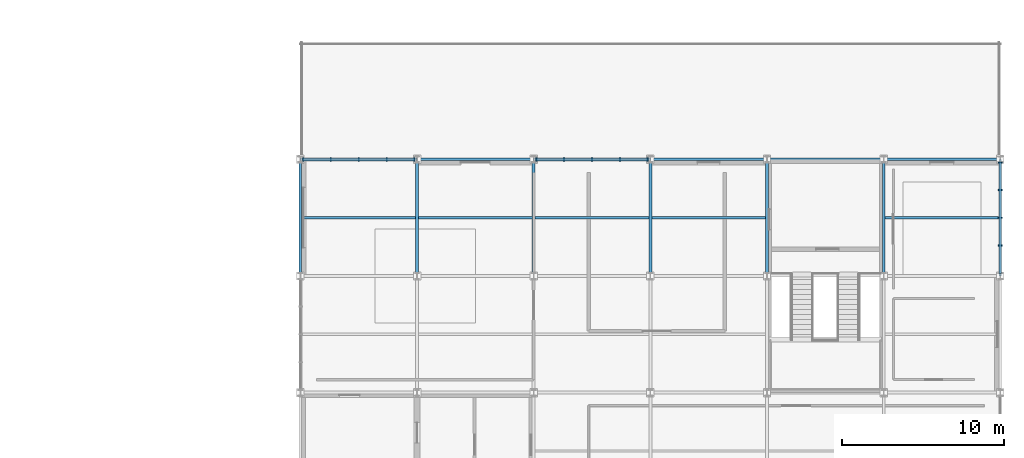
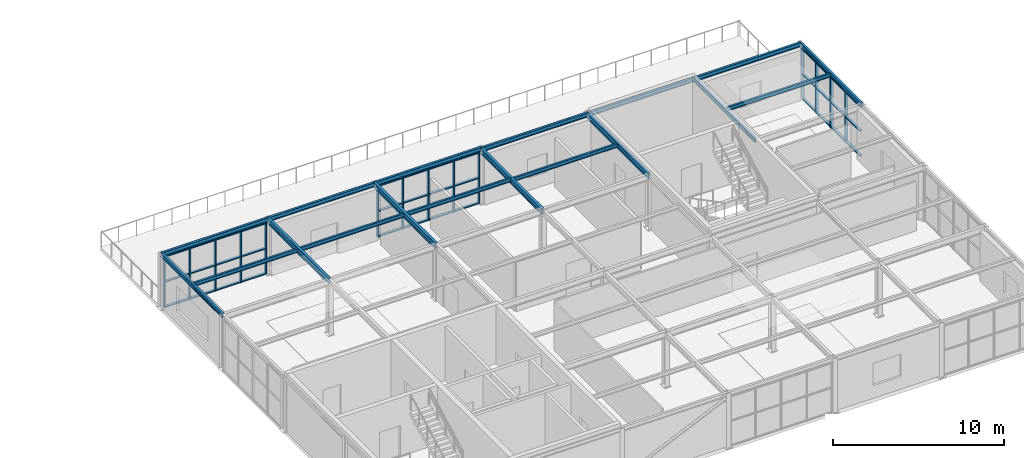
# One storey, part 13 of 30: 23 members, 18 beams, 3 elements without a shape of their own.
"""IFC4 building model written with IfcOpenShell, lengths in metres."""

import ifcopenshell
import ifcopenshell.guid

model = None  # the IFC model being written
_history = None  # IfcOwnerHistory: only IFC2X3 demands one
_inside = {}  # id of a spatial element -> (the spatial element, [elements in it])
_under = {}  # id of a project, library or spatial element -> (it, [spatial elements below it])
_declared = {}  # id of a project -> (the project, [libraries it declares])
_typed = {}  # id of a type object -> (the type object, [elements of that type])
_made_of = {}  # id of a material, layer set ... -> (it, [elements and type objects made of it])


def new_model(schema):
    """Start an empty IFC model of exactly this schema.

    Asked for "IFC4X3", IfcOpenShell would pick the latest addendum, in which some entities
    have other attributes; the version numbers below select the first issue.
    IFC2X3 requires an IfcOwnerHistory on every rooted entity: one is made here for all.
    """
    global model, _history
    if schema == "IFC4X3":
        model = ifcopenshell.file(schema_version=(4, 3, 0, 0))
    else:
        model = ifcopenshell.file(schema=schema)
    _inside.clear()
    _under.clear()
    _declared.clear()
    _typed.clear()
    _made_of.clear()
    _history = None
    if model.schema == "IFC2X3":
        org = make("IfcOrganization", Name="unknown")
        user = make(
            "IfcPersonAndOrganization",
            ThePerson=make("IfcPerson", FamilyName="unknown"),
            TheOrganization=org,
        )
        app = make(
            "IfcApplication",
            ApplicationDeveloper=org,
            Version="unknown",
            ApplicationFullName="unknown",
            ApplicationIdentifier="unknown",
        )
        _history = make(
            "IfcOwnerHistory",
            OwningUser=user,
            OwningApplication=app,
            ChangeAction="ADDED",
            CreationDate=0,
        )
    return model


def make(cls, **values):
    """One entity of the class cls with the attributes given. An attribute that is None is left unset."""
    return model.create_entity(
        cls, **{name: value for name, value in values.items() if value is not None}
    )


def rooted(cls, **values):
    """An entity with a GlobalId (a new one), such as an element, a storey or a relation."""
    return make(cls, GlobalId=ifcopenshell.guid.new(), OwnerHistory=_history, **values)


def si_unit(unit_type, name, prefix=None):
    """IfcSIUnit, for example si_unit("LENGTHUNIT", "METRE", prefix="MILLI")."""
    return make("IfcSIUnit", UnitType=unit_type, Prefix=prefix, Name=name)


def assignment(units):
    """IfcUnitAssignment: the units of a project."""
    return None if units is None else make("IfcUnitAssignment", Units=units)


def point(xyz):
    """IfcCartesianPoint."""
    return None if xyz is None else make("IfcCartesianPoint", Coordinates=xyz)


def direction(xyz):
    """IfcDirection."""
    return None if xyz is None else make("IfcDirection", DirectionRatios=xyz)


def frame(location, z_axis=None, x_axis=None):
    """IfcAxis2Placement3D, a coordinate frame: its origin and axes. An axis left out is left unset."""
    return make(
        "IfcAxis2Placement3D",
        Location=point(location),
        Axis=direction(z_axis),
        RefDirection=direction(x_axis),
    )


def frame_2d(location, x_axis=None):
    """IfcAxis2Placement2D, a coordinate frame in the plane: its origin and x axis."""
    return make(
        "IfcAxis2Placement2D", Location=point(location), RefDirection=direction(x_axis)
    )


def origin():
    """The frame at (0, 0, 0) with its axes left unset."""
    return frame((0.0, 0.0, 0.0))


def origin_2d():
    """The frame at (0, 0) in the plane with its x axis left unset."""
    return frame_2d((0.0, 0.0))


def place(relative_to, where):
    """IfcLocalPlacement: puts the frame where relative to a parent placement (None: the world)."""
    return make(
        "IfcLocalPlacement", PlacementRelTo=relative_to, RelativePlacement=where
    )


def context(
    kind, dimensions, precision=None, world=None, true_north=None, identifier=None
):
    """IfcGeometricRepresentationContext, for example the 3D "Model" context."""
    return make(
        "IfcGeometricRepresentationContext",
        ContextIdentifier=identifier,
        ContextType=kind,
        CoordinateSpaceDimension=dimensions,
        Precision=precision,
        WorldCoordinateSystem=world,
        TrueNorth=true_north,
    )


def subcontext(parent, identifier, kind, view, scale=None):
    """IfcGeometricRepresentationSubContext, for example "Body" below "Model"."""
    return make(
        "IfcGeometricRepresentationSubContext",
        ContextIdentifier=identifier,
        ContextType=kind,
        ParentContext=parent,
        TargetScale=scale,
        TargetView=view,
    )


def project(units=None, contexts=None):
    """IfcProject with its units and contexts."""
    return rooted(
        "IfcProject",
        Name="project",
        RepresentationContexts=contexts,
        UnitsInContext=assignment(units),
    )


def spatial(cls, under=None, at=None, **own):
    """A site, building, storey or space (cls), placed at a placement, below another one or the project."""
    s = rooted(cls, ObjectPlacement=at, **own)
    if under is not None:
        _under.setdefault(under.id(), (under, []))[1].append(s)
    return s


def profile(cls, at=None, kind="AREA", **sizes):
    """A parametric profile (cls). Its sizes go by their IFC names, for example OverallWidth=200.0."""
    return make(cls, ProfileType=kind, Position=at, **sizes)


def rectangle(**sizes):
    """IfcRectangleProfileDef."""
    return profile("IfcRectangleProfileDef", **sizes)


def i_section(**sizes):
    """IfcIShapeProfileDef."""
    return profile("IfcIShapeProfileDef", **sizes)


def extrude(swept, where, along, depth):
    """IfcExtrudedAreaSolid: the profile swept, set in the frame where, extruded along a direction by depth."""
    return make(
        "IfcExtrudedAreaSolid",
        SweptArea=swept,
        Position=where,
        ExtrudedDirection=direction(along),
        Depth=depth,
    )


def shape(context_of_items, identifier, shape_type, items):
    """IfcShapeRepresentation: the items that make up one representation, for example the "Body"."""
    return make(
        "IfcShapeRepresentation",
        ContextOfItems=context_of_items,
        RepresentationIdentifier=identifier,
        RepresentationType=shape_type,
        Items=items,
    )


def material(Name=None, Category=None):
    """IfcMaterial."""
    return make("IfcMaterial", Name=Name, Category=Category)


def material_profile(
    of_material, cross_section, Name=None, Category=None, Priority=None
):
    """IfcMaterialProfile: a cross section and its material."""
    return make(
        "IfcMaterialProfile",
        Name=Name,
        Material=of_material,
        Profile=cross_section,
        Priority=Priority,
        Category=Category,
    )


def profile_set(profiles, Name=None, composite=None):
    """IfcMaterialProfileSet."""
    return make(
        "IfcMaterialProfileSet",
        Name=Name,
        MaterialProfiles=profiles,
        CompositeProfile=composite,
    )


def made_of(thing, what):
    """Note that an element or type object is made of a material, layer set ...; save() writes the relation."""
    if what is not None:
        _made_of.setdefault(what.id(), (what, []))[1].append(thing)
    return thing


def type_object(cls, material=None, **own):
    """A type object (cls), such as IfcWallType, which elements share."""
    return made_of(rooted(cls, **own), material)


def element(
    cls,
    number,
    at=None,
    inside=None,
    cuts=None,
    type_object=None,
    material=None,
    context=None,
    identifier="Body",
    shape_type=None,
    held_by="IfcProductDefinitionShape",
    body=None,
    shapes=None,
    **own,
):
    """One element of the class cls, such as IfcWall. Its Tag is "e" and its number.

    at: its placement. inside: the storey or other place that contains it. cuts: it is an
    opening in that element (IfcRelVoidsElement). A single representation is given by context,
    identifier, shape_type and body (its items); several are given by shapes. held_by: the class
    of the entity that holds the representations. save() writes the other relations.
    """
    e = rooted(cls, Tag="e%d" % number, ObjectPlacement=at, **own)
    if body is not None:
        shapes = [shape(context, identifier, shape_type, body)]
    if shapes is not None:
        e.Representation = make(held_by, Representations=shapes)
    if inside is not None:
        _inside.setdefault(inside.id(), (inside, []))[1].append(e)
    if cuts is not None:
        rooted(
            "IfcRelVoidsElement", RelatingBuildingElement=cuts, RelatedOpeningElement=e
        )
    if type_object is not None:
        _typed.setdefault(type_object.id(), (type_object, []))[1].append(e)
    return made_of(e, material)


def aggregate(whole, parts):
    """IfcRelAggregates: a whole, such as a stair, and the parts it consists of."""
    return rooted("IfcRelAggregates", RelatingObject=whole, RelatedObjects=parts)


def save(model, path):
    """Write the relations noted so far, then the file.

    IfcRelAggregates (storeys below a building ...), IfcRelContainedInSpatialStructure (elements
    in a storey), IfcRelDefinesByType, IfcRelAssociatesMaterial and IfcRelDeclares: one each for
    every whole, place, type object, material and project.
    """
    for whole, parts in _under.values():
        aggregate(whole, parts)
    for where, things in _inside.values():
        rooted(
            "IfcRelContainedInSpatialStructure",
            RelatedElements=things,
            RelatingStructure=where,
        )
    for kind, things in _typed.values():
        rooted("IfcRelDefinesByType", RelatedObjects=things, RelatingType=kind)
    for what, things in _made_of.values():
        rooted("IfcRelAssociatesMaterial", RelatedObjects=things, RelatingMaterial=what)
    for by, libraries in _declared.values():
        rooted("IfcRelDeclares", RelatingContext=by, RelatedDefinitions=libraries)
    model.write(path)


model = new_model("IFC4")

# Units and contexts
model_context = context("Model", 3, precision=1e-05, world=origin(), true_north=direction((0.0, 1.0)))
body_context = subcontext(model_context, "Body", "Model", "MODEL_VIEW")
ifc_project = project(units=[si_unit("LENGTHUNIT", "METRE"), si_unit("AREAUNIT", "SQUARE_METRE"), si_unit("VOLUMEUNIT", "CUBIC_METRE"), si_unit("PLANEANGLEUNIT", "RADIAN"), si_unit("MASSUNIT", "GRAM", prefix="KILO")], contexts=[model_context])

# Site, building, storey
site_placement = place(None, origin())
site = spatial("IfcSite", under=ifc_project, at=site_placement, CompositionType="ELEMENT")
building_placement = place(site_placement, origin())
building = spatial("IfcBuilding", under=site, at=building_placement, Name="Leyfeld Transit Interchange", CompositionType="ELEMENT")
storey_placement = place(building_placement, frame((0.0, 0.0, 13.800048828125)))
storey = spatial("IfcBuildingStorey", under=building, at=storey_placement, Name="L03", CompositionType="ELEMENT", Elevation=13.800048828125)

# Beams
ifc_material_1 = material(Name="Steel S355J2", Category="steel")
ifc_material_profile_1 = material_profile(ifc_material_1, i_section(OverallWidth=0.135009765625, OverallDepth=0.27001953125, WebThickness=0.006591796875, FlangeThickness=0.01025390625, FilletRadius=0.014892578125, at=origin_2d()), Name="IPE 270")
ifc_profile_set_1 = profile_set([ifc_material_profile_1], Name="Steel S355J2")
beam_type_1 = type_object("IfcBeamType", Name="BM-STL-IPE270", PredefinedType="BEAM", material=ifc_profile_set_1)
beam_1_placement = place(storey_placement, frame((158.487060546875, 82.800048828125, 3.784912109375), z_axis=(1.0, 0.0, 0.0), x_axis=(0.0, 1.0, 0.0)))
element("IfcBeam", 1, at=beam_1_placement, inside=storey, type_object=beam_type_1, Name="Beam BM-L03-1585_0828-1655_0828", PredefinedType="BEAM", context=body_context, shape_type="SweptSolid", body=[
    extrude(i_section(OverallWidth=0.135009765625, OverallDepth=0.27001953125, WebThickness=0.006591796875, FlangeThickness=0.01025390625, FilletRadius=0.014892578125, at=origin_2d()), origin(), (0.0, 0.0, 1.0), 7.02587890625),
])
beam_2_placement = place(storey_placement, frame((136.8720703125, 82.800048828125, 3.844970703125), z_axis=(1.0, 0.0, 0.0), x_axis=(0.0, 1.0, 0.0)))
element("IfcBeam", 2, at=beam_2_placement, inside=storey, type_object=beam_type_1, Name="Beam BM-L03-1369_0828-1439_0828", PredefinedType="BEAM", context=body_context, shape_type="SweptSolid", body=[
    extrude(i_section(OverallWidth=0.135009765625, OverallDepth=0.27001953125, WebThickness=0.006591796875, FlangeThickness=0.01025390625, FilletRadius=0.014892578125, at=origin_2d()), origin(), (0.0, 0.0, 1.0), 7.041015625),
])
beam_3_placement = place(storey_placement, frame((144.0869140625, 82.800048828125, 3.844970703125), z_axis=(1.0, 0.0, 0.0), x_axis=(0.0, 1.0, 0.0)))
element("IfcBeam", 3, at=beam_3_placement, inside=storey, type_object=beam_type_1, Name="Beam BM-L03-1441_0828-1511_0828", PredefinedType="BEAM", context=body_context, shape_type="SweptSolid", body=[
    extrude(i_section(OverallWidth=0.135009765625, OverallDepth=0.27001953125, WebThickness=0.006591796875, FlangeThickness=0.01025390625, FilletRadius=0.014892578125, at=origin_2d()), origin(), (0.0, 0.0, 1.0), 7.026123046875),
])
beam_4_placement = place(storey_placement, frame((151.287109375, 82.800048828125, 3.844970703125), z_axis=(1.0, 0.0, 0.0), x_axis=(0.0, 1.0, 0.0)))
element("IfcBeam", 4, at=beam_4_placement, inside=storey, type_object=beam_type_1, Name="Beam BM-L03-1513_0828-1583_0828", PredefinedType="BEAM", context=body_context, shape_type="SweptSolid", body=[
    extrude(i_section(OverallWidth=0.135009765625, OverallDepth=0.27001953125, WebThickness=0.006591796875, FlangeThickness=0.01025390625, FilletRadius=0.014892578125, at=origin_2d()), origin(), (0.0, 0.0, 1.0), 7.02587890625),
])
beam_5_placement = place(storey_placement, frame((172.8720703125, 82.800048828125, 3.764892578125), z_axis=(1.0, 0.0, 0.0), x_axis=(0.0, 1.0, 0.0)))
element("IfcBeam", 5, at=beam_5_placement, inside=storey, type_object=beam_type_1, Name="Beam BM-L03-1729_0828-1799_0828", PredefinedType="BEAM", context=body_context, shape_type="SweptSolid", body=[
    extrude(i_section(OverallWidth=0.135009765625, OverallDepth=0.27001953125, WebThickness=0.006591796875, FlangeThickness=0.01025390625, FilletRadius=0.014892578125, at=origin_2d()), origin(), (0.0, 0.0, 1.0), 7.055908203125),
])
ifc_material_profile_2 = material_profile(ifc_material_1, i_section(OverallWidth=0.14990234375, OverallDepth=0.300048828125, WebThickness=0.007080078125, FlangeThickness=0.0107421875, FilletRadius=0.014892578125, at=origin_2d()), Name="IPE 300")
ifc_profile_set_2 = profile_set([ifc_material_profile_2], Name="Steel S355J2")
beam_type_2 = type_object("IfcBeamType", Name="BM-STL-IPE300", PredefinedType="SPANDREL", material=ifc_profile_set_2)
beam_6_placement = place(storey_placement, frame((172.800048828125, 79.199951171875, 3.75), z_axis=(0.0, 1.0, 0.0), x_axis=(-1.0, 0.0, 0.0)))
element("IfcBeam", 6, at=beam_6_placement, inside=storey, type_object=beam_type_2, Name="Beam BM-L03-1728_0792-1728_0864", PredefinedType="SPANDREL", context=body_context, shape_type="SweptSolid", body=[
    extrude(i_section(OverallWidth=0.14990234375, OverallDepth=0.300048828125, WebThickness=0.007080078125, FlangeThickness=0.0107421875, FilletRadius=0.014892578125, at=origin_2d()), origin(), (0.0, 0.0, 1.0), 7.199951171875),
])
beam_7_placement = place(storey_placement, frame((158.39990234375, 86.39990234375, 3.77001953125), z_axis=(1.0, 0.0, 0.0), x_axis=(0.0, 1.0, 0.0)))
element("IfcBeam", 7, at=beam_7_placement, inside=storey, type_object=beam_type_2, Name="Beam BM-L03-1584_0864-1656_0864", PredefinedType="SPANDREL", context=body_context, shape_type="SweptSolid", body=[
    extrude(i_section(OverallWidth=0.14990234375, OverallDepth=0.300048828125, WebThickness=0.007080078125, FlangeThickness=0.0107421875, FilletRadius=0.014892578125, at=origin_2d()), origin(), (0.0, 0.0, 1.0), 7.2001953125),
])
for number, where, z_axis, x_axis, name in (
    (8, (165.60009765625, 86.39990234375, 3.77001953125), (1.0, 0.0, 0.0), (0.0, 1.0, 0.0), "Beam BM-L03-1656_0864-1728_0864"),
    (9, (136.800048828125, 79.199951171875, 3.829833984375), (0.0, 1.0, 0.0), (-1.0, 0.0, 0.0), "Beam BM-L03-1368_0792-1368_0864"),
    (10, (136.800048828125, 86.39990234375, 3.829833984375), (1.0, 0.0, 0.0), (0.0, 1.0, 0.0), "Beam BM-L03-1368_0864-1440_0864"),
    (11, (144.0, 86.39990234375, 3.829833984375), (1.0, 0.0, 0.0), (0.0, 1.0, 0.0), "Beam BM-L03-1440_0864-1512_0864"),
    (12, (151.199951171875, 86.39990234375, 3.829833984375), (1.0, 0.0, 0.0), (0.0, 1.0, 0.0), "Beam BM-L03-1512_0864-1584_0864"),
    (13, (180.0, 79.199951171875, 3.75), (0.0, 1.0, 0.0), (-1.0, 0.0, 0.0), "Beam BM-L03-1800_0792-1800_0864"),
    (14, (172.800048828125, 86.39990234375, 3.75), (1.0, 0.0, 0.0), (0.0, 1.0, 0.0), "Beam BM-L03-1728_0864-1800_0864"),
):
    element("IfcBeam", number, at=place(storey_placement, frame(where, z_axis=z_axis, x_axis=x_axis)), inside=storey, type_object=beam_type_2, Name=name, PredefinedType="SPANDREL", context=body_context, shape_type="SweptSolid", body=[
        extrude(i_section(OverallWidth=0.14990234375, OverallDepth=0.300048828125, WebThickness=0.007080078125, FlangeThickness=0.0107421875, FilletRadius=0.014892578125, at=origin_2d()), origin(), (0.0, 0.0, 1.0), 7.199951171875),
    ])
ifc_material_profile_3 = material_profile(ifc_material_1, i_section(OverallWidth=0.179931640625, OverallDepth=0.39990234375, WebThickness=0.008544921875, FlangeThickness=0.013427734375, FilletRadius=0.02099609375, at=origin_2d()), Name="IPE 400")
ifc_profile_set_3 = profile_set([ifc_material_profile_3], Name="Steel S355J2")
beam_type_3 = type_object("IfcBeamType", Name="BM-STL-IPE400", PredefinedType="BEAM", material=ifc_profile_set_3)
for number, where, z_axis, x_axis, name in (
    (15, (158.39990234375, 79.199951171875, 3.719970703125), (0.0, 1.0, 0.0), (-1.0, 0.0, 0.0), "Beam BM-L03-1584_0792-1584_0864"),
    (16, (165.60009765625, 79.199951171875, 3.719970703125), (0.0, 1.0, 0.0), (-1.0, 0.0, 0.0), "Beam BM-L03-1656_0792-1656_0864"),
    (17, (144.0, 79.199951171875, 3.780029296875), (0.0, 1.0, 0.0), (-1.0, 0.0, 0.0), "Beam BM-L03-1440_0792-1440_0864"),
    (18, (151.199951171875, 79.199951171875, 3.780029296875), (0.0, 1.0, 0.0), (-1.0, 0.0, 0.0), "Beam BM-L03-1512_0792-1512_0864"),
):
    element("IfcBeam", number, at=place(storey_placement, frame(where, z_axis=z_axis, x_axis=x_axis)), inside=storey, type_object=beam_type_3, Name=name, PredefinedType="BEAM", context=body_context, shape_type="SweptSolid", body=[
        extrude(i_section(OverallWidth=0.179931640625, OverallDepth=0.39990234375, WebThickness=0.008544921875, FlangeThickness=0.013427734375, FilletRadius=0.02099609375, at=origin_2d()), origin(), (0.0, 0.0, 1.0), 7.199951171875),
    ])

# Curtain wall, members
ifc_material_2 = material(Name="Anodised aluminium EN AW-6060 T66", Category="aluminium")
curtain_wall_type = type_object("IfcCurtainWallType", Name="CW-SYS-BUS-7200", PredefinedType="NOTDEFINED", material=ifc_material_2)
curtain_wall_1_placement = place(storey_placement, origin())
curtain_wall_1 = element("IfcCurtainWall", 19, at=curtain_wall_1_placement, inside=storey, type_object=curtain_wall_type, Name="Curtain Wall CW-L03-129", PredefinedType="NOTDEFINED")
ifc_material_profile_4 = material_profile(ifc_material_2, rectangle(XDim=0.074951171875, YDim=0.219970703125, at=origin_2d()), Name="CW-M 75x220")
ifc_profile_set_4 = profile_set([ifc_material_profile_4], Name="Anodised aluminium EN AW-6060 T66")
member_type_1 = type_object("IfcMemberType", Name="CW-MUL-180x70", PredefinedType="MULLION", material=ifc_profile_set_4)
member_1_placement = place(storey_placement, frame((136.9775390625, 86.39990234375, 0.0), z_axis=(0.0, 0.0, 1.0), x_axis=(1.0, 0.0, 0.0)))
member_1 = element("IfcMember", 20, at=member_1_placement, type_object=member_type_1, Name="Curtain Mullion CW-L03-129-M01", PredefinedType="MULLION", context=body_context, shape_type="SweptSolid", body=[
    extrude(rectangle(XDim=0.074951171875, YDim=0.219970703125, at=origin_2d()), origin(), (0.0, 0.0, 1.0), 3.679931640625),
])
member_2_placement = place(storey_placement, frame((138.669921875, 86.39990234375, 0.0), z_axis=(0.0, 0.0, 1.0), x_axis=(1.0, 0.0, 0.0)))
member_2 = element("IfcMember", 21, at=member_2_placement, type_object=member_type_1, Name="Curtain Mullion CW-L03-129-M02", PredefinedType="MULLION", context=body_context, shape_type="SweptSolid", body=[
    extrude(rectangle(XDim=0.074951171875, YDim=0.219970703125, at=origin_2d()), origin(), (0.0, 0.0, 1.0), 3.679931640625),
])
member_3_placement = place(storey_placement, frame((140.39990234375, 86.39990234375, 0.0), z_axis=(0.0, 0.0, 1.0), x_axis=(1.0, 0.0, 0.0)))
member_3 = element("IfcMember", 22, at=member_3_placement, type_object=member_type_1, Name="Curtain Mullion CW-L03-129-M03", PredefinedType="MULLION", context=body_context, shape_type="SweptSolid", body=[
    extrude(rectangle(XDim=0.074951171875, YDim=0.219970703125, at=origin_2d()), origin(), (0.0, 0.0, 1.0), 3.679931640625),
])
member_4_placement = place(storey_placement, frame((142.1298828125, 86.39990234375, 0.0), z_axis=(0.0, 0.0, 1.0), x_axis=(1.0, 0.0, 0.0)))
member_4 = element("IfcMember", 23, at=member_4_placement, type_object=member_type_1, Name="Curtain Mullion CW-L03-129-M04", PredefinedType="MULLION", context=body_context, shape_type="SweptSolid", body=[
    extrude(rectangle(XDim=0.074951171875, YDim=0.219970703125, at=origin_2d()), origin(), (0.0, 0.0, 1.0), 3.679931640625),
])
member_5_placement = place(storey_placement, frame((143.822509765625, 86.39990234375, 0.0), z_axis=(0.0, 0.0, 1.0), x_axis=(1.0, 0.0, 0.0)))
member_5 = element("IfcMember", 24, at=member_5_placement, type_object=member_type_1, Name="Curtain Mullion CW-L03-129-M05", PredefinedType="MULLION", context=body_context, shape_type="SweptSolid", body=[
    extrude(rectangle(XDim=0.074951171875, YDim=0.219970703125, at=origin_2d()), origin(), (0.0, 0.0, 1.0), 3.679931640625),
])

curtain_wall_2_placement = place(storey_placement, origin())
curtain_wall_2 = element("IfcCurtainWall", 25, at=curtain_wall_2_placement, inside=storey, type_object=curtain_wall_type, Name="Curtain Wall CW-L03-130", PredefinedType="NOTDEFINED")
member_6_placement = place(storey_placement, frame((151.37744140625, 86.39990234375, 0.0), z_axis=(0.0, 0.0, 1.0), x_axis=(1.0, 0.0, 0.0)))
member_6 = element("IfcMember", 26, at=member_6_placement, type_object=member_type_1, Name="Curtain Mullion CW-L03-130-M01", PredefinedType="MULLION", context=body_context, shape_type="SweptSolid", body=[
    extrude(rectangle(XDim=0.074951171875, YDim=0.219970703125, at=origin_2d()), origin(), (0.0, 0.0, 1.0), 3.679931640625),
])
member_7_placement = place(storey_placement, frame((153.070068359375, 86.39990234375, 0.0), z_axis=(0.0, 0.0, 1.0), x_axis=(1.0, 0.0, 0.0)))
member_7 = element("IfcMember", 27, at=member_7_placement, type_object=member_type_1, Name="Curtain Mullion CW-L03-130-M02", PredefinedType="MULLION", context=body_context, shape_type="SweptSolid", body=[
    extrude(rectangle(XDim=0.074951171875, YDim=0.219970703125, at=origin_2d()), origin(), (0.0, 0.0, 1.0), 3.679931640625),
])
member_8_placement = place(storey_placement, frame((154.800048828125, 86.39990234375, 0.0), z_axis=(0.0, 0.0, 1.0), x_axis=(1.0, 0.0, 0.0)))
member_8 = element("IfcMember", 28, at=member_8_placement, type_object=member_type_1, Name="Curtain Mullion CW-L03-130-M03", PredefinedType="MULLION", context=body_context, shape_type="SweptSolid", body=[
    extrude(rectangle(XDim=0.074951171875, YDim=0.219970703125, at=origin_2d()), origin(), (0.0, 0.0, 1.0), 3.679931640625),
])
member_9_placement = place(storey_placement, frame((156.530029296875, 86.39990234375, 0.0), z_axis=(0.0, 0.0, 1.0), x_axis=(1.0, 0.0, 0.0)))
member_9 = element("IfcMember", 29, at=member_9_placement, type_object=member_type_1, Name="Curtain Mullion CW-L03-130-M04", PredefinedType="MULLION", context=body_context, shape_type="SweptSolid", body=[
    extrude(rectangle(XDim=0.074951171875, YDim=0.219970703125, at=origin_2d()), origin(), (0.0, 0.0, 1.0), 3.679931640625),
])
member_10_placement = place(storey_placement, frame((158.222412109375, 86.39990234375, 0.0), z_axis=(0.0, 0.0, 1.0), x_axis=(1.0, 0.0, 0.0)))
member_10 = element("IfcMember", 30, at=member_10_placement, type_object=member_type_1, Name="Curtain Mullion CW-L03-130-M05", PredefinedType="MULLION", context=body_context, shape_type="SweptSolid", body=[
    extrude(rectangle(XDim=0.074951171875, YDim=0.219970703125, at=origin_2d()), origin(), (0.0, 0.0, 1.0), 3.679931640625),
])

curtain_wall_3_placement = place(storey_placement, origin())
curtain_wall_3 = element("IfcCurtainWall", 31, at=curtain_wall_3_placement, inside=storey, type_object=curtain_wall_type, Name="Curtain Wall CW-L03-131", PredefinedType="NOTDEFINED")
member_11_placement = place(storey_placement, frame((180.0, 86.1923828125, 0.0), z_axis=(0.0, 0.0, 1.0), x_axis=(0.0, -1.0, 0.0)))
member_11 = element("IfcMember", 32, at=member_11_placement, type_object=member_type_1, Name="Curtain Mullion CW-L03-131-M01", PredefinedType="MULLION", context=body_context, shape_type="SweptSolid", body=[
    extrude(rectangle(XDim=0.074951171875, YDim=0.219970703125, at=origin_2d()), origin(), (0.0, 0.0, 1.0), 3.599853515625),
])
member_12_placement = place(storey_placement, frame((180.0, 84.514892578125, 0.0), z_axis=(0.0, 0.0, 1.0), x_axis=(0.0, -1.0, 0.0)))
member_12 = element("IfcMember", 33, at=member_12_placement, type_object=member_type_1, Name="Curtain Mullion CW-L03-131-M02", PredefinedType="MULLION", context=body_context, shape_type="SweptSolid", body=[
    extrude(rectangle(XDim=0.074951171875, YDim=0.219970703125, at=origin_2d()), origin(), (0.0, 0.0, 1.0), 3.599853515625),
])
member_13_placement = place(storey_placement, frame((180.0, 82.800048828125, 0.0), z_axis=(0.0, 0.0, 1.0), x_axis=(0.0, -1.0, 0.0)))
member_13 = element("IfcMember", 34, at=member_13_placement, type_object=member_type_1, Name="Curtain Mullion CW-L03-131-M03", PredefinedType="MULLION", context=body_context, shape_type="SweptSolid", body=[
    extrude(rectangle(XDim=0.074951171875, YDim=0.219970703125, at=origin_2d()), origin(), (0.0, 0.0, 1.0), 3.599853515625),
])
member_14_placement = place(storey_placement, frame((180.0, 81.0849609375, 0.0), z_axis=(0.0, 0.0, 1.0), x_axis=(0.0, -1.0, 0.0)))
member_14 = element("IfcMember", 35, at=member_14_placement, type_object=member_type_1, Name="Curtain Mullion CW-L03-131-M04", PredefinedType="MULLION", context=body_context, shape_type="SweptSolid", body=[
    extrude(rectangle(XDim=0.074951171875, YDim=0.219970703125, at=origin_2d()), origin(), (0.0, 0.0, 1.0), 3.599853515625),
])

# Member
ifc_material_profile_5 = material_profile(ifc_material_2, rectangle(XDim=0.179931640625, YDim=0.074951171875, at=origin_2d()), Name="CW-TRN-160x70")
ifc_profile_set_5 = profile_set([ifc_material_profile_5], Name="Anodised aluminium EN AW-6060 T66")
member_type_2 = type_object("IfcMemberType", Name="CW-TRN-160x70", PredefinedType="USERDEFINED", material=ifc_profile_set_5)
member_15_placement = place(storey_placement, frame((136.93994140625, 86.39990234375, 0.037353515625), z_axis=(1.0, 0.0, 0.0), x_axis=(0.0, 1.0, 0.0)))
member_15 = element("IfcMember", 36, at=member_15_placement, type_object=member_type_2, Name="Curtain Transom CW-L03-129-T01", ObjectType="TRANSOM", PredefinedType="USERDEFINED", context=body_context, shape_type="SweptSolid", body=[
    extrude(rectangle(XDim=0.179931640625, YDim=0.074951171875, at=origin_2d()), origin(), (0.0, 0.0, 1.0), 6.920166015625),
])

member_16_placement = place(storey_placement, frame((136.93994140625, 86.39990234375, 1.83984375), z_axis=(1.0, 0.0, 0.0), x_axis=(0.0, 1.0, 0.0)))
member_16 = element("IfcMember", 37, at=member_16_placement, type_object=member_type_2, Name="Curtain Transom CW-L03-129-T02", ObjectType="TRANSOM", PredefinedType="USERDEFINED", context=body_context, shape_type="SweptSolid", body=[
    extrude(rectangle(XDim=0.179931640625, YDim=0.074951171875, at=origin_2d()), origin(), (0.0, 0.0, 1.0), 6.920166015625),
])

member_17_placement = place(storey_placement, frame((136.93994140625, 86.39990234375, 3.642333984375), z_axis=(1.0, 0.0, 0.0), x_axis=(0.0, 1.0, 0.0)))
member_17 = element("IfcMember", 38, at=member_17_placement, type_object=member_type_2, Name="Curtain Transom CW-L03-129-T03", ObjectType="TRANSOM", PredefinedType="USERDEFINED", context=body_context, shape_type="SweptSolid", body=[
    extrude(rectangle(XDim=0.179931640625, YDim=0.074951171875, at=origin_2d()), origin(), (0.0, 0.0, 1.0), 6.920166015625),
])

aggregate(curtain_wall_1, [member_1, member_2, member_3, member_4, member_5, member_15, member_16, member_17])

member_18_placement = place(storey_placement, frame((151.340087890625, 86.39990234375, 0.037353515625), z_axis=(1.0, 0.0, 0.0), x_axis=(0.0, 1.0, 0.0)))
member_18 = element("IfcMember", 39, at=member_18_placement, type_object=member_type_2, Name="Curtain Transom CW-L03-130-T01", ObjectType="TRANSOM", PredefinedType="USERDEFINED", context=body_context, shape_type="SweptSolid", body=[
    extrude(rectangle(XDim=0.179931640625, YDim=0.074951171875, at=origin_2d()), origin(), (0.0, 0.0, 1.0), 6.919921875),
])

member_19_placement = place(storey_placement, frame((151.340087890625, 86.39990234375, 1.83984375), z_axis=(1.0, 0.0, 0.0), x_axis=(0.0, 1.0, 0.0)))
member_19 = element("IfcMember", 40, at=member_19_placement, type_object=member_type_2, Name="Curtain Transom CW-L03-130-T02", ObjectType="TRANSOM", PredefinedType="USERDEFINED", context=body_context, shape_type="SweptSolid", body=[
    extrude(rectangle(XDim=0.179931640625, YDim=0.074951171875, at=origin_2d()), origin(), (0.0, 0.0, 1.0), 6.919921875),
])

member_20_placement = place(storey_placement, frame((151.340087890625, 86.39990234375, 3.642333984375), z_axis=(1.0, 0.0, 0.0), x_axis=(0.0, 1.0, 0.0)))
member_20 = element("IfcMember", 41, at=member_20_placement, type_object=member_type_2, Name="Curtain Transom CW-L03-130-T03", ObjectType="TRANSOM", PredefinedType="USERDEFINED", context=body_context, shape_type="SweptSolid", body=[
    extrude(rectangle(XDim=0.179931640625, YDim=0.074951171875, at=origin_2d()), origin(), (0.0, 0.0, 1.0), 6.919921875),
])

aggregate(curtain_wall_2, [member_6, member_7, member_8, member_9, member_10, member_18, member_19, member_20])

member_21_placement = place(storey_placement, frame((180.0, 86.22998046875, 0.037353515625), z_axis=(0.0, -1.0, 0.0), x_axis=(1.0, 0.0, 0.0)))
member_21 = element("IfcMember", 42, at=member_21_placement, type_object=member_type_2, Name="Curtain Transom CW-L03-131-T01", ObjectType="TRANSOM", PredefinedType="USERDEFINED", context=body_context, shape_type="SweptSolid", body=[
    extrude(rectangle(XDim=0.179931640625, YDim=0.074951171875, at=origin_2d()), origin(), (0.0, 0.0, 1.0), 6.85986328125),
])

member_22_placement = place(storey_placement, frame((180.0, 86.22998046875, 1.800048828125), z_axis=(0.0, -1.0, 0.0), x_axis=(1.0, 0.0, 0.0)))
member_22 = element("IfcMember", 43, at=member_22_placement, type_object=member_type_2, Name="Curtain Transom CW-L03-131-T02", ObjectType="TRANSOM", PredefinedType="USERDEFINED", context=body_context, shape_type="SweptSolid", body=[
    extrude(rectangle(XDim=0.179931640625, YDim=0.074951171875, at=origin_2d()), origin(), (0.0, 0.0, 1.0), 6.85986328125),
])

member_23_placement = place(storey_placement, frame((180.0, 86.22998046875, 3.5625), z_axis=(0.0, -1.0, 0.0), x_axis=(1.0, 0.0, 0.0)))
member_23 = element("IfcMember", 44, at=member_23_placement, type_object=member_type_2, Name="Curtain Transom CW-L03-131-T03", ObjectType="TRANSOM", PredefinedType="USERDEFINED", context=body_context, shape_type="SweptSolid", body=[
    extrude(rectangle(XDim=0.179931640625, YDim=0.074951171875, at=origin_2d()), origin(), (0.0, 0.0, 1.0), 6.85986328125),
])

aggregate(curtain_wall_3, [member_11, member_12, member_13, member_14, member_21, member_22, member_23])

save(model, "model.ifc")
